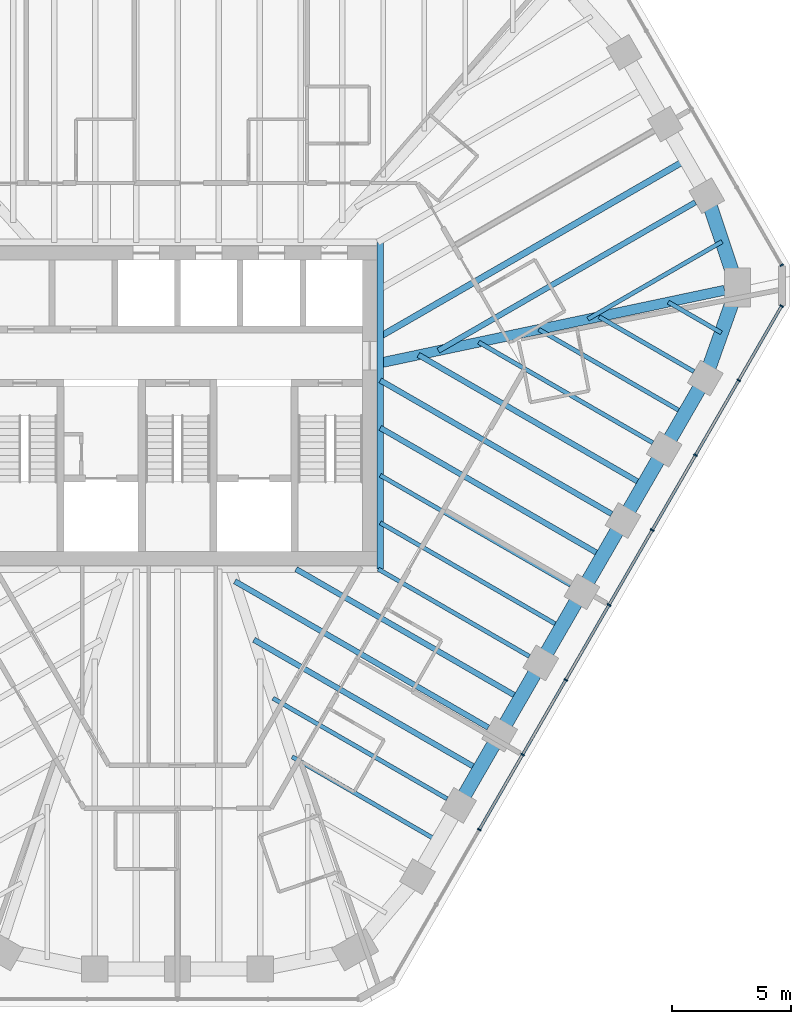
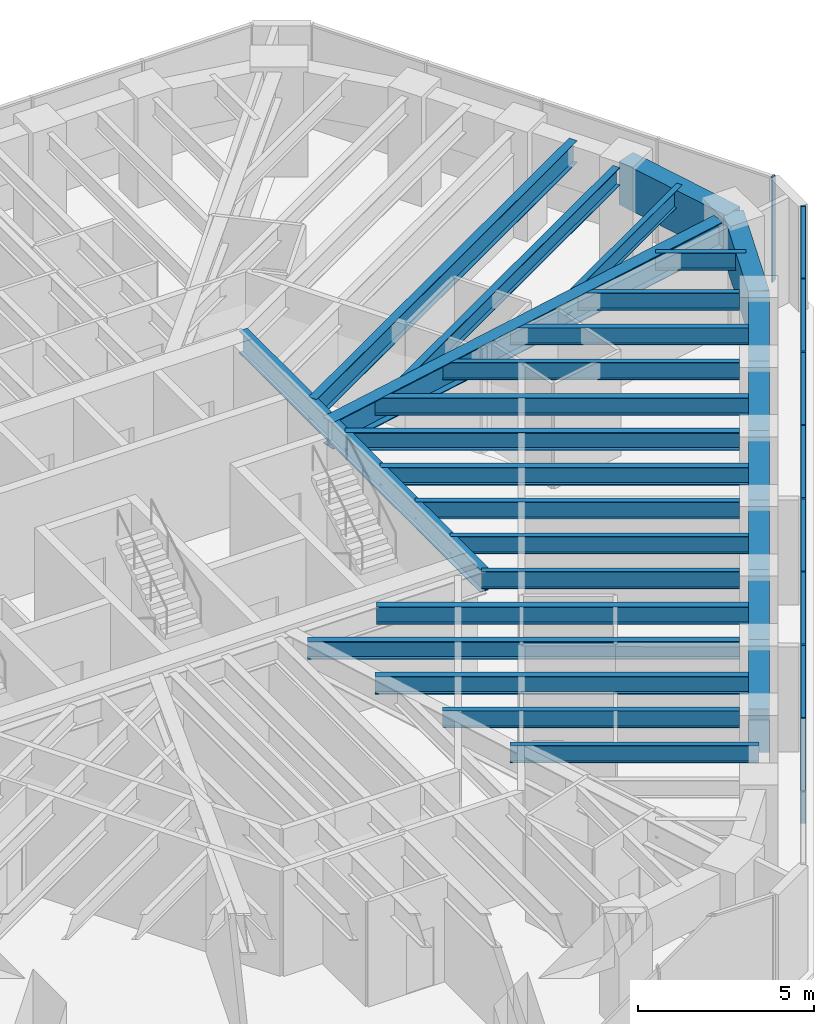
# One storey, part 5 of 14: 28 beams, 16 members, 2 elements without a shape of their own.
"""IFC4 building model written with IfcOpenShell, lengths in metres."""

from ifc_helpers import new_model, si_unit, direction, frame, origin, origin_2d, place, context, subcontext, project, spatial, rectangle, i_section, extrude, material, material_profile, profile_set, type_object, element, aggregate, save


model = new_model("IFC4")

# Units and contexts
model_context = context("Model", 3, precision=1e-05, world=origin(), true_north=direction((0.0, 1.0)))
body_context = subcontext(model_context, "Body", "Model", "MODEL_VIEW")
ifc_project = project(units=[si_unit("LENGTHUNIT", "METRE"), si_unit("AREAUNIT", "SQUARE_METRE"), si_unit("VOLUMEUNIT", "CUBIC_METRE"), si_unit("PLANEANGLEUNIT", "RADIAN"), si_unit("MASSUNIT", "GRAM", prefix="KILO")], contexts=[model_context])

# Site, building, storey
site_placement = place(None, origin())
site = spatial("IfcSite", under=ifc_project, at=site_placement, CompositionType="ELEMENT")
building_placement = place(site_placement, origin())
building = spatial("IfcBuilding", under=site, at=building_placement, Name="Sandreach Pilgrim Tower", CompositionType="ELEMENT")
storey_placement = place(building_placement, frame((0.0, 0.0, 279.800048828125)))
storey = spatial("IfcBuildingStorey", under=building, at=storey_placement, Name="L70", CompositionType="ELEMENT", Elevation=279.800048828125)

# Curtain wall, member
ifc_material_1 = material(Name="Aluminium framed curtain wall", Category="aluminium")
curtain_wall_type = type_object("IfcCurtainWallType", Name="Suite tower curtain wall", PredefinedType="NOTDEFINED", material=ifc_material_1)
curtain_wall_1_placement = place(storey_placement, origin())
curtain_wall_1 = element("IfcCurtainWall", 1, at=curtain_wall_1_placement, inside=storey, type_object=curtain_wall_type, Name="CW-4 L70 NE", PredefinedType="NOTDEFINED")
ifc_material_2 = material(Name="Aluminium extrusion", Category="aluminium")
ifc_material_profile_1 = material_profile(ifc_material_2, rectangle(XDim=0.06005859375, YDim=0.159912109375, at=origin_2d()), Name="CW-4M 60X160")
ifc_profile_set_1 = profile_set([ifc_material_profile_1], Name="Aluminium extrusion")
member_type_1 = type_object("IfcMemberType", Name="CW-4 mullion", PredefinedType="MULLION", material=ifc_profile_set_1)
member_1_placement = place(storey_placement, frame((25.304443359375, 5.8876953125, 0.0), z_axis=(0.0, 0.0, 1.0), x_axis=(0.5, -0.866025403784, 0.0)))
member_1 = element("IfcMember", 2, at=member_1_placement, type_object=member_type_1, Name="CW-4 mullion 5", PredefinedType="MULLION", context=body_context, shape_type="SweptSolid", body=[
    extrude(rectangle(XDim=0.06005859375, YDim=0.159912109375, at=origin_2d()), origin(), (0.0, 0.0, 1.0), 3.639892578125),
])
aggregate(curtain_wall_1, [member_1])

# Curtain wall, members
curtain_wall_2_placement = place(storey_placement, origin())
curtain_wall_2 = element("IfcCurtainWall", 3, at=curtain_wall_2_placement, inside=storey, type_object=curtain_wall_type, Name="CW-4 L70 SE", PredefinedType="NOTDEFINED")
member_2_placement = place(storey_placement, frame((25.304443359375, 4.175537109375, 0.0), z_axis=(0.0, 0.0, 1.0), x_axis=(-0.5, -0.866025403784, 0.0)))
member_2 = element("IfcMember", 4, at=member_2_placement, type_object=member_type_1, Name="CW-4 mullion 1", PredefinedType="MULLION", context=body_context, shape_type="SweptSolid", body=[
    extrude(rectangle(XDim=0.06005859375, YDim=0.159912109375, at=origin_2d()), origin(), (0.0, 0.0, 1.0), 3.639892578125),
])
member_3_placement = place(storey_placement, frame((23.508544921875, 1.06494140625, 0.0), z_axis=(0.0, 0.0, 1.0), x_axis=(-0.5, -0.866025403784, 0.0)))
member_3 = element("IfcMember", 5, at=member_3_placement, type_object=member_type_1, Name="CW-4 mullion 2", PredefinedType="MULLION", context=body_context, shape_type="SweptSolid", body=[
    extrude(rectangle(XDim=0.06005859375, YDim=0.159912109375, at=origin_2d()), origin(), (0.0, 0.0, 1.0), 3.639892578125),
])
member_4_placement = place(storey_placement, frame((21.697509765625, -2.071533203125, 0.0), z_axis=(0.0, 0.0, 1.0), x_axis=(-0.5, -0.866025403784, 0.0)))
member_4 = element("IfcMember", 6, at=member_4_placement, type_object=member_type_1, Name="CW-4 mullion 3", PredefinedType="MULLION", context=body_context, shape_type="SweptSolid", body=[
    extrude(rectangle(XDim=0.06005859375, YDim=0.159912109375, at=origin_2d()), origin(), (0.0, 0.0, 1.0), 3.639892578125),
])
member_5_placement = place(storey_placement, frame((19.886474609375, -5.208251953125, 0.0), z_axis=(0.0, 0.0, 1.0), x_axis=(-0.5, -0.866025403784, 0.0)))
member_5 = element("IfcMember", 7, at=member_5_placement, type_object=member_type_1, Name="CW-4 mullion 4", PredefinedType="MULLION", context=body_context, shape_type="SweptSolid", body=[
    extrude(rectangle(XDim=0.06005859375, YDim=0.159912109375, at=origin_2d()), origin(), (0.0, 0.0, 1.0), 3.639892578125),
])
member_6_placement = place(storey_placement, frame((18.07568359375, -8.344970703125, 0.0), z_axis=(0.0, 0.0, 1.0), x_axis=(-0.5, -0.866025403784, 0.0)))
member_6 = element("IfcMember", 8, at=member_6_placement, type_object=member_type_1, Name="CW-4 mullion 5", PredefinedType="MULLION", context=body_context, shape_type="SweptSolid", body=[
    extrude(rectangle(XDim=0.06005859375, YDim=0.159912109375, at=origin_2d()), origin(), (0.0, 0.0, 1.0), 3.639892578125),
])
member_7_placement = place(storey_placement, frame((16.2646484375, -11.4814453125, 0.0), z_axis=(0.0, 0.0, 1.0), x_axis=(-0.5, -0.866025403784, 0.0)))
member_7 = element("IfcMember", 9, at=member_7_placement, type_object=member_type_1, Name="CW-4 mullion 6", PredefinedType="MULLION", context=body_context, shape_type="SweptSolid", body=[
    extrude(rectangle(XDim=0.06005859375, YDim=0.159912109375, at=origin_2d()), origin(), (0.0, 0.0, 1.0), 3.639892578125),
])
member_8_placement = place(storey_placement, frame((14.453857421875, -14.6181640625, 0.0), z_axis=(0.0, 0.0, 1.0), x_axis=(-0.5, -0.866025403784, 0.0)))
member_8 = element("IfcMember", 10, at=member_8_placement, type_object=member_type_1, Name="CW-4 mullion 7", PredefinedType="MULLION", context=body_context, shape_type="SweptSolid", body=[
    extrude(rectangle(XDim=0.06005859375, YDim=0.159912109375, at=origin_2d()), origin(), (0.0, 0.0, 1.0), 3.639892578125),
])
member_9_placement = place(storey_placement, frame((12.642822265625, -17.7548828125, 0.0), z_axis=(0.0, 0.0, 1.0), x_axis=(-0.5, -0.866025403784, 0.0)))
member_9 = element("IfcMember", 11, at=member_9_placement, type_object=member_type_1, Name="CW-4 mullion 8", PredefinedType="MULLION", context=body_context, shape_type="SweptSolid", body=[
    extrude(rectangle(XDim=0.06005859375, YDim=0.159912109375, at=origin_2d()), origin(), (0.0, 0.0, 1.0), 3.639892578125),
])
ifc_material_3 = material(Name="Aluminium extrusion", Category="aluminium")
ifc_material_profile_2 = material_profile(ifc_material_3, rectangle(XDim=0.1201171875, YDim=0.070068359375, at=origin_2d()), Name="CW-4T 120X70")
ifc_profile_set_2 = profile_set([ifc_material_profile_2], Name="Aluminium extrusion")
member_type_2 = type_object("IfcMemberType", Name="CW-4 transom", PredefinedType="USERDEFINED", material=ifc_profile_set_2)
member_10_placement = place(storey_placement, frame((25.289306640625, 4.149658203125, 3.60498046875), z_axis=(-0.499997709859, -0.866026725994, 0.0), x_axis=(0.866026725994, -0.499997709859, 0.0)))
member_10 = element("IfcMember", 12, at=member_10_placement, type_object=member_type_2, Name="CW-4 head transom 1", ObjectType="TRANSOM", PredefinedType="USERDEFINED", context=body_context, shape_type="SweptSolid", body=[
    extrude(rectangle(XDim=0.1201171875, YDim=0.070068359375, at=origin_2d()), origin(), (0.0, 0.0, 1.0), 3.53173828125),
])
member_11_placement = place(storey_placement, frame((23.493408203125, 1.0390625, 3.60498046875), z_axis=(-0.500009219579, -0.866020080793, 0.0), x_axis=(0.866020080793, -0.500009219579, 0.0)))
member_11 = element("IfcMember", 13, at=member_11_placement, type_object=member_type_2, Name="CW-4 head transom 2", ObjectType="TRANSOM", PredefinedType="USERDEFINED", context=body_context, shape_type="SweptSolid", body=[
    extrude(rectangle(XDim=0.1201171875, YDim=0.070068359375, at=origin_2d()), origin(), (0.0, 0.0, 1.0), 3.56201171875),
])
member_12_placement = place(storey_placement, frame((21.6826171875, -2.09765625, 3.60498046875), z_axis=(-0.500009219579, -0.866020080793, 0.0), x_axis=(0.866020080793, -0.500009219579, 0.0)))
member_12 = element("IfcMember", 14, at=member_12_placement, type_object=member_type_2, Name="CW-4 head transom 3", ObjectType="TRANSOM", PredefinedType="USERDEFINED", context=body_context, shape_type="SweptSolid", body=[
    extrude(rectangle(XDim=0.1201171875, YDim=0.070068359375, at=origin_2d()), origin(), (0.0, 0.0, 1.0), 3.56201171875),
])
member_13_placement = place(storey_placement, frame((19.87158203125, -5.234375, 3.60498046875), z_axis=(-0.500038900691, -0.866002943295, 0.0), x_axis=(0.866002943295, -0.500038900691, 0.0)))
member_13 = element("IfcMember", 15, at=member_13_placement, type_object=member_type_2, Name="CW-4 head transom 4", ObjectType="TRANSOM", PredefinedType="USERDEFINED", context=body_context, shape_type="SweptSolid", body=[
    extrude(rectangle(XDim=0.1201171875, YDim=0.070068359375, at=origin_2d()), origin(), (0.0, 0.0, 1.0), 3.561767578125),
])
member_14_placement = place(storey_placement, frame((18.060546875, -8.370849609375, 3.60498046875), z_axis=(-0.499957811549, -0.866049759928, 0.0), x_axis=(0.866049759928, -0.499957811549, 0.0)))
member_14 = element("IfcMember", 16, at=member_14_placement, type_object=member_type_2, Name="CW-4 head transom 5", ObjectType="TRANSOM", PredefinedType="USERDEFINED", context=body_context, shape_type="SweptSolid", body=[
    extrude(rectangle(XDim=0.1201171875, YDim=0.070068359375, at=origin_2d()), origin(), (0.0, 0.0, 1.0), 3.561767578125),
])
member_15_placement = place(storey_placement, frame((16.249755859375, -11.507568359375, 3.60498046875), z_axis=(-0.500009219579, -0.866020080793, 0.0), x_axis=(0.866020080793, -0.500009219579, 0.0)))
member_15 = element("IfcMember", 17, at=member_15_placement, type_object=member_type_2, Name="CW-4 head transom 6", ObjectType="TRANSOM", PredefinedType="USERDEFINED", context=body_context, shape_type="SweptSolid", body=[
    extrude(rectangle(XDim=0.1201171875, YDim=0.070068359375, at=origin_2d()), origin(), (0.0, 0.0, 1.0), 3.56201171875),
])
member_16_placement = place(storey_placement, frame((14.438720703125, -14.64404296875, 3.60498046875), z_axis=(-0.499957811549, -0.866049759928, 0.0), x_axis=(0.866049759928, -0.499957811549, 0.0)))
member_16 = element("IfcMember", 18, at=member_16_placement, type_object=member_type_2, Name="CW-4 head transom 7", ObjectType="TRANSOM", PredefinedType="USERDEFINED", context=body_context, shape_type="SweptSolid", body=[
    extrude(rectangle(XDim=0.1201171875, YDim=0.070068359375, at=origin_2d()), origin(), (0.0, 0.0, 1.0), 3.561767578125),
])
aggregate(curtain_wall_2, [member_2, member_3, member_4, member_5, member_6, member_7, member_8, member_9, member_10, member_11, member_12, member_13, member_14, member_15, member_16])

# Beams
ifc_material_4 = material(Name="Steel ASTM A992 Grade 50", Category="steel")
ifc_material_profile_3 = material_profile(ifc_material_4, i_section(OverallWidth=0.2666015625, OverallDepth=0.77978515625, WebThickness=0.0166015625, FlangeThickness=0.030029296875, at=origin_2d()), Name="W30X148")
ifc_profile_set_3 = profile_set([ifc_material_profile_3], Name="Steel ASTM A992 Grade 50")
beam_type_1 = type_object("IfcBeamType", Name="Core edge beam W30X148", PredefinedType="BEAM", material=ifc_profile_set_3)
beam_1_placement = place(storey_placement, frame((8.493408203125, 6.84326171875, 3.25), z_axis=(0.0, -1.0, 0.0), x_axis=(1.0, 0.0, 0.0)))
element("IfcBeam", 19, at=beam_1_placement, inside=storey, type_object=beam_type_1, Name="BM L70 CEE", PredefinedType="BEAM", context=body_context, shape_type="SweptSolid", body=[
    extrude(i_section(OverallWidth=0.2666015625, OverallDepth=0.77978515625, WebThickness=0.0166015625, FlangeThickness=0.030029296875, at=origin_2d()), origin(), (0.0, 0.0, 1.0), 13.6865234375),
])
ifc_material_5 = material(Name="Steel ASTM A992 Grade 50", Category="steel")
ifc_material_profile_4 = material_profile(ifc_material_5, i_section(OverallWidth=0.419189453125, OverallDepth=0.927001953125, WebThickness=0.019287109375, FlangeThickness=0.031982421875, at=origin_2d()), Name="W36X231")
ifc_profile_set_4 = profile_set([ifc_material_profile_4], Name="Steel ASTM A992 Grade 50")
beam_type_2 = type_object("IfcBeamType", Name="Corner girder W36X231", PredefinedType="BEAM", material=ifc_profile_set_4)
beam_2_placement = place(storey_placement, frame((22.917724609375, 4.838623046875, 3.176513671875), z_axis=(-0.978430270369, -0.206577360876, 0.0), x_axis=(0.206577360876, -0.978430270369, 0.0)))
element("IfcBeam", 20, at=beam_2_placement, inside=storey, type_object=beam_type_2, Name="BM L70 CG13", PredefinedType="BEAM", context=body_context, shape_type="SweptSolid", body=[
    extrude(i_section(OverallWidth=0.419189453125, OverallDepth=0.927001953125, WebThickness=0.019287109375, FlangeThickness=0.031982421875, at=origin_2d()), origin(), (0.0, 0.0, 1.0), 14.888671875),
])
ifc_material_6 = material(Name="Steel ASTM A992 Grade 50", Category="steel")
ifc_material_profile_5 = material_profile(ifc_material_6, i_section(OverallWidth=0.1787109375, OverallDepth=0.60205078125, WebThickness=0.010986328125, FlangeThickness=0.014892578125, at=origin_2d()), Name="W24X62")
ifc_profile_set_5 = profile_set([ifc_material_profile_5], Name="Steel ASTM A992 Grade 50")
beam_type_3 = type_object("IfcBeamType", Name="Floor beam W24X62", PredefinedType="BEAM", material=ifc_profile_set_5)
beam_3_placement = place(storey_placement, frame((21.631591796875, 1.433837890625, 3.3388671875), z_axis=(-0.866037621819, 0.499978837146, 0.0), x_axis=(-0.499978837146, -0.866037621819, 0.0)))
element("IfcBeam", 21, at=beam_3_placement, inside=storey, type_object=beam_type_3, Name="BM L70 F14", PredefinedType="BEAM", context=body_context, shape_type="SweptSolid", body=[
    extrude(i_section(OverallWidth=0.1787109375, OverallDepth=0.60205078125, WebThickness=0.010986328125, FlangeThickness=0.014892578125, at=origin_2d()), origin(), (0.0, 0.0, 1.0), 4.588623046875),
])
beam_4_placement = place(storey_placement, frame((19.908935546875, -1.549560546875, 3.3388671875), z_axis=(-0.866026819143, 0.499997548519, 0.0), x_axis=(-0.499997548519, -0.866026819143, 0.0)))
element("IfcBeam", 22, at=beam_4_placement, inside=storey, type_object=beam_type_3, Name="BM L70 F15", PredefinedType="BEAM", context=body_context, shape_type="SweptSolid", body=[
    extrude(i_section(OverallWidth=0.1787109375, OverallDepth=0.60205078125, WebThickness=0.010986328125, FlangeThickness=0.014892578125, at=origin_2d()), origin(), (0.0, 0.0, 1.0), 8.4248046875),
])
beam_5_placement = place(storey_placement, frame((16.4638671875, -7.516357421875, 3.3388671875), z_axis=(-0.866022580836, 0.500004889459, 0.0), x_axis=(-0.500004889459, -0.866022580836, 0.0)))
element("IfcBeam", 23, at=beam_5_placement, inside=storey, type_object=beam_type_3, Name="BM L70 F17", PredefinedType="BEAM", context=body_context, shape_type="SweptSolid", body=[
    extrude(i_section(OverallWidth=0.1787109375, OverallDepth=0.60205078125, WebThickness=0.010986328125, FlangeThickness=0.014892578125, at=origin_2d()), origin(), (0.0, 0.0, 1.0), 9.20361328125),
])
beam_6_placement = place(storey_placement, frame((14.741455078125, -10.5, 3.3388671875), z_axis=(-0.866019920622, 0.500009496996, 0.0), x_axis=(-0.500009496996, -0.866019920622, 0.0)))
element("IfcBeam", 24, at=beam_6_placement, inside=storey, type_object=beam_type_3, Name="BM L70 F18", PredefinedType="BEAM", context=body_context, shape_type="SweptSolid", body=[
    extrude(i_section(OverallWidth=0.1787109375, OverallDepth=0.60205078125, WebThickness=0.010986328125, FlangeThickness=0.014892578125, at=origin_2d()), origin(), (0.0, 0.0, 1.0), 7.313232421875),
])
beam_7_placement = place(storey_placement, frame((11.29638671875, -16.466796875, 3.3388671875), z_axis=(-0.866026819143, 0.499997548519, 0.0), x_axis=(-0.499997548519, -0.866026819143, 0.0)))
element("IfcBeam", 25, at=beam_7_placement, inside=storey, type_object=beam_type_3, Name="BM L70 F20", PredefinedType="BEAM", context=body_context, shape_type="SweptSolid", body=[
    extrude(i_section(OverallWidth=0.1787109375, OverallDepth=0.60205078125, WebThickness=0.010986328125, FlangeThickness=0.014892578125, at=origin_2d()), origin(), (0.0, 0.0, 1.0), 8.4248046875),
])
beam_8_placement = place(storey_placement, frame((22.8125, 6.875, 3.3388671875), z_axis=(-0.866023980233, -0.500002465655, 0.0), x_axis=(0.500002465655, -0.866023980233, 0.0)))
element("IfcBeam", 26, at=beam_8_placement, inside=storey, type_object=beam_type_3, Name="BM L70 FM12", PredefinedType="BEAM", context=body_context, shape_type="SweptSolid", body=[
    extrude(i_section(OverallWidth=0.1787109375, OverallDepth=0.60205078125, WebThickness=0.010986328125, FlangeThickness=0.014892578125, at=origin_2d()), origin(), (0.0, 0.0, 1.0), 6.49072265625),
])
beam_9_placement = place(storey_placement, frame((22.78173828125, 3.0556640625, 3.3388671875), z_axis=(-0.8660004255, 0.500043261163, 0.0), x_axis=(-0.500043261163, -0.8660004255, 0.0)))
element("IfcBeam", 27, at=beam_9_placement, inside=storey, type_object=beam_type_3, Name="BM L70 FM13", PredefinedType="BEAM", context=body_context, shape_type="SweptSolid", body=[
    extrude(i_section(OverallWidth=0.1787109375, OverallDepth=0.60205078125, WebThickness=0.010986328125, FlangeThickness=0.014892578125, at=origin_2d()), origin(), (0.0, 0.0, 1.0), 2.569091796875),
])
beam_10_placement = place(storey_placement, frame((21.24658203125, -0.332763671875, 3.3388671875), z_axis=(-0.866028878405, 0.499993981732, 0.0), x_axis=(-0.499993981732, -0.866028878405, 0.0)))
element("IfcBeam", 28, at=beam_10_placement, inside=storey, type_object=beam_type_3, Name="BM L70 FM14", PredefinedType="BEAM", context=body_context, shape_type="SweptSolid", body=[
    extrude(i_section(OverallWidth=0.1787109375, OverallDepth=0.60205078125, WebThickness=0.010986328125, FlangeThickness=0.014892578125, at=origin_2d()), origin(), (0.0, 0.0, 1.0), 7.056640625),
])
beam_11_placement = place(storey_placement, frame((16.0791015625, -9.283203125, 3.3388671875), z_axis=(-0.866023595995, 0.500003131169, 0.0), x_axis=(-0.500003131169, -0.866023595995, 0.0)))
element("IfcBeam", 29, at=beam_11_placement, inside=storey, type_object=beam_type_3, Name="BM L70 FM17", PredefinedType="BEAM", context=body_context, shape_type="SweptSolid", body=[
    extrude(i_section(OverallWidth=0.1787109375, OverallDepth=0.60205078125, WebThickness=0.010986328125, FlangeThickness=0.014892578125, at=origin_2d()), origin(), (0.0, 0.0, 1.0), 8.75927734375),
])
beam_12_placement = place(storey_placement, frame((10.911376953125, -18.233642578125, 3.3388671875), z_axis=(-0.866020229007, 0.50000896287, 0.0), x_axis=(-0.50000896287, -0.866020229007, 0.0)))
element("IfcBeam", 30, at=beam_12_placement, inside=storey, type_object=beam_type_3, Name="BM L70 FM20", PredefinedType="BEAM", context=body_context, shape_type="SweptSolid", body=[
    extrude(i_section(OverallWidth=0.1787109375, OverallDepth=0.60205078125, WebThickness=0.010986328125, FlangeThickness=0.014892578125, at=origin_2d()), origin(), (0.0, 0.0, 1.0), 7.056396484375),
])
ifc_material_7 = material(Name="Steel ASTM A992 Grade 50", Category="steel")
ifc_material_profile_6 = material_profile(ifc_material_7, i_section(OverallWidth=0.23046875, OverallDepth=0.6171875, WebThickness=0.01318359375, FlangeThickness=0.022216796875, at=origin_2d()), Name="W24X94")
ifc_profile_set_6 = profile_set([ifc_material_profile_6], Name="Steel ASTM A992 Grade 50")
beam_type_4 = type_object("IfcBeamType", Name="Floor beam W24X94", PredefinedType="BEAM", material=ifc_profile_set_6)
beam_13_placement = place(storey_placement, frame((21.69287109375, 8.522705078125, 3.331298828125), z_axis=(-0.866028931402, -0.499993889937, 0.0), x_axis=(0.499993889937, -0.866028931402, 0.0)))
element("IfcBeam", 31, at=beam_13_placement, inside=storey, type_object=beam_type_4, Name="BM L70 F12", PredefinedType="BEAM", context=body_context, shape_type="SweptSolid", body=[
    extrude(i_section(OverallWidth=0.23046875, OverallDepth=0.6171875, WebThickness=0.01318359375, FlangeThickness=0.022216796875, at=origin_2d()), origin(), (0.0, 0.0, 1.0), 12.431396484375),
])
beam_14_placement = place(storey_placement, frame((18.1865234375, -4.532958984375, 3.331298828125), z_axis=(-0.866030482771, 0.499991202833, 0.0), x_axis=(-0.499991202833, -0.866030482771, 0.0)))
element("IfcBeam", 32, at=beam_14_placement, inside=storey, type_object=beam_type_4, Name="BM L70 F16", PredefinedType="BEAM", context=body_context, shape_type="SweptSolid", body=[
    extrude(i_section(OverallWidth=0.23046875, OverallDepth=0.6171875, WebThickness=0.01318359375, FlangeThickness=0.022216796875, at=origin_2d()), origin(), (0.0, 0.0, 1.0), 11.192626953125),
])
beam_15_placement = place(storey_placement, frame((13.018798828125, -13.4833984375, 3.331298828125), z_axis=(-0.866019132277, 0.500010862412, 0.0), x_axis=(-0.500010862412, -0.866019132277, 0.0)))
element("IfcBeam", 33, at=beam_15_placement, inside=storey, type_object=beam_type_4, Name="BM L70 F19", PredefinedType="BEAM", context=body_context, shape_type="SweptSolid", body=[
    extrude(i_section(OverallWidth=0.23046875, OverallDepth=0.6171875, WebThickness=0.01318359375, FlangeThickness=0.022216796875, at=origin_2d()), origin(), (0.0, 0.0, 1.0), 12.261474609375),
])
beam_16_placement = place(storey_placement, frame((19.52392578125, -3.316162109375, 3.331298828125), z_axis=(-0.866029205616, 0.499993414976, 0.0), x_axis=(-0.499993414976, -0.866029205616, 0.0)))
element("IfcBeam", 34, at=beam_16_placement, inside=storey, type_object=beam_type_4, Name="BM L70 FM15", PredefinedType="BEAM", context=body_context, shape_type="SweptSolid", body=[
    extrude(i_section(OverallWidth=0.23046875, OverallDepth=0.6171875, WebThickness=0.01318359375, FlangeThickness=0.022216796875, at=origin_2d()), origin(), (0.0, 0.0, 1.0), 10.893310546875),
])
beam_17_placement = place(storey_placement, frame((17.801513671875, -6.2998046875, 3.331298828125), z_axis=(-0.866025958161, 0.49999903979, 0.0), x_axis=(-0.49999903979, -0.866025958161, 0.0)))
element("IfcBeam", 35, at=beam_17_placement, inside=storey, type_object=beam_type_4, Name="BM L70 FM16", PredefinedType="BEAM", context=body_context, shape_type="SweptSolid", body=[
    extrude(i_section(OverallWidth=0.23046875, OverallDepth=0.6171875, WebThickness=0.01318359375, FlangeThickness=0.022216796875, at=origin_2d()), origin(), (0.0, 0.0, 1.0), 10.748046875),
])
beam_18_placement = place(storey_placement, frame((14.3564453125, -12.2666015625, 3.331298828125), z_axis=(-0.866026660645, 0.499997823047, 0.0), x_axis=(-0.499997823047, -0.866026660645, 0.0)))
element("IfcBeam", 36, at=beam_18_placement, inside=storey, type_object=beam_type_4, Name="BM L70 FM18", PredefinedType="BEAM", context=body_context, shape_type="SweptSolid", body=[
    extrude(i_section(OverallWidth=0.23046875, OverallDepth=0.6171875, WebThickness=0.01318359375, FlangeThickness=0.022216796875, at=origin_2d()), origin(), (0.0, 0.0, 1.0), 10.8466796875),
])
beam_19_placement = place(storey_placement, frame((12.634033203125, -15.250244140625, 3.331298828125), z_axis=(-0.866019500887, 0.500010223979, 0.0), x_axis=(-0.500010223979, -0.866019500887, 0.0)))
element("IfcBeam", 37, at=beam_19_placement, inside=storey, type_object=beam_type_4, Name="BM L70 FM19", PredefinedType="BEAM", context=body_context, shape_type="SweptSolid", body=[
    extrude(i_section(OverallWidth=0.23046875, OverallDepth=0.6171875, WebThickness=0.01318359375, FlangeThickness=0.022216796875, at=origin_2d()), origin(), (0.0, 0.0, 1.0), 10.893310546875),
])
ifc_material_8 = material(Name="Steel ASTM A992 Grade 50", Category="steel")
ifc_material_profile_7 = material_profile(ifc_material_8, i_section(OverallWidth=0.2666015625, OverallDepth=0.761962890625, WebThickness=0.014404296875, FlangeThickness=0.021484375, at=origin_2d()), Name="W30X116")
ifc_profile_set_7 = profile_set([ifc_material_profile_7], Name="Steel ASTM A992 Grade 50")
beam_type_5 = type_object("IfcBeamType", Name="Floor beam W30X116", PredefinedType="BEAM", material=ifc_profile_set_7)
beam_20_placement = place(storey_placement, frame((21.302978515625, 10.29833984375, 3.259033203125), z_axis=(-0.866028362181, -0.499994875871, 0.0), x_axis=(0.499994875871, -0.866028362181, 0.0)))
element("IfcBeam", 38, at=beam_20_placement, inside=storey, type_object=beam_type_5, Name="BM L70 FM11", PredefinedType="BEAM", context=body_context, shape_type="SweptSolid", body=[
    extrude(i_section(OverallWidth=0.2666015625, OverallDepth=0.761962890625, WebThickness=0.014404296875, FlangeThickness=0.021484375, at=origin_2d()), origin(), (0.0, 0.0, 1.0), 14.791259765625),
])
ifc_material_9 = material(Name="Concrete 10000 psi", Category="concrete")
ifc_material_profile_8 = material_profile(ifc_material_9, rectangle(XDim=0.60009765625, YDim=1.5, at=origin_2d()), Name="RC600X1500")
ifc_profile_set_8 = profile_set([ifc_material_profile_8], Name="Concrete 10000 psi")
beam_type_6 = type_object("IfcBeamType", Name="Spandrel beam RC600X1500", PredefinedType="SPANDREL", material=ifc_profile_set_8)
beam_21_placement = place(storey_placement, frame((22.169189453125, 8.7978515625, 2.889892578125), z_axis=(0.317293238289, -0.948327475578, 0.0), x_axis=(0.948327475578, 0.317293238289, 0.0)))
element("IfcBeam", 39, at=beam_21_placement, inside=storey, type_object=beam_type_6, Name="BM L70 SP12", PredefinedType="SPANDREL", context=body_context, shape_type="SweptSolid", body=[
    extrude(rectangle(XDim=0.60009765625, YDim=1.5, at=origin_2d()), origin(), (0.0, 0.0, 1.0), 4.054931640625),
])
beam_22_placement = place(storey_placement, frame((23.455810546875, 4.952392578125, 2.889892578125), z_axis=(-0.33481464839, -0.94228400773, 0.0), x_axis=(0.94228400773, -0.33481464839, 0.0)))
element("IfcBeam", 40, at=beam_22_placement, inside=storey, type_object=beam_type_6, Name="BM L70 SP13", PredefinedType="SPANDREL", context=body_context, shape_type="SweptSolid", body=[
    extrude(rectangle(XDim=0.60009765625, YDim=1.5, at=origin_2d()), origin(), (0.0, 0.0, 1.0), 4.02587890625),
])
for number, where, z_axis, x_axis, name in (
    (41, (22.10791015625, 1.158935546875, 2.889892578125), (-0.500041441558, -0.866001476168, 0.0), (0.866001476168, -0.500041441558, 0.0), "BM L70 SP14"),
    (42, (20.38525390625, -1.824462890625, 2.889892578125), (-0.499957605418, -0.866049878924, 0.0), (0.866049878924, -0.499957605418, 0.0), "BM L70 SP15"),
    (43, (18.662841796875, -4.80810546875, 2.889892578125), (-0.500041441558, -0.866001476168, 0.0), (0.866001476168, -0.500041441558, 0.0), "BM L70 SP16"),
):
    element("IfcBeam", number, at=place(storey_placement, frame(where, z_axis=z_axis, x_axis=x_axis)), inside=storey, type_object=beam_type_6, Name=name, PredefinedType="SPANDREL", context=body_context, shape_type="SweptSolid", body=[
        extrude(rectangle(XDim=0.60009765625, YDim=1.5, at=origin_2d()), origin(), (0.0, 0.0, 1.0), 3.445068359375),
    ])
beam_23_placement = place(storey_placement, frame((16.940185546875, -7.79150390625, 2.889892578125), z_axis=(-0.499988291006, -0.866032163869, 0.0), x_axis=(0.866032163869, -0.499988291006, 0.0)))
element("IfcBeam", 44, at=beam_23_placement, inside=storey, type_object=beam_type_6, Name="BM L70 SP17", PredefinedType="SPANDREL", context=body_context, shape_type="SweptSolid", body=[
    extrude(rectangle(XDim=0.60009765625, YDim=1.5, at=origin_2d()), origin(), (0.0, 0.0, 1.0), 3.44482421875),
])
beam_24_placement = place(storey_placement, frame((15.2177734375, -10.77490234375, 2.889892578125), z_axis=(-0.500010754882, -0.866019194361, 0.0), x_axis=(0.866019194361, -0.500010754882, 0.0)))
element("IfcBeam", 45, at=beam_24_placement, inside=storey, type_object=beam_type_6, Name="BM L70 SP18", PredefinedType="SPANDREL", context=body_context, shape_type="SweptSolid", body=[
    extrude(rectangle(XDim=0.60009765625, YDim=1.5, at=origin_2d()), origin(), (0.0, 0.0, 1.0), 3.4453125),
])
beam_25_placement = place(storey_placement, frame((13.4951171875, -13.758544921875, 2.889892578125), z_axis=(-0.499988291006, -0.866032163869, 0.0), x_axis=(0.866032163869, -0.499988291006, 0.0)))
element("IfcBeam", 46, at=beam_25_placement, inside=storey, type_object=beam_type_6, Name="BM L70 SP19", PredefinedType="SPANDREL", context=body_context, shape_type="SweptSolid", body=[
    extrude(rectangle(XDim=0.60009765625, YDim=1.5, at=origin_2d()), origin(), (0.0, 0.0, 1.0), 3.44482421875),
])

save(model, "model.ifc")
